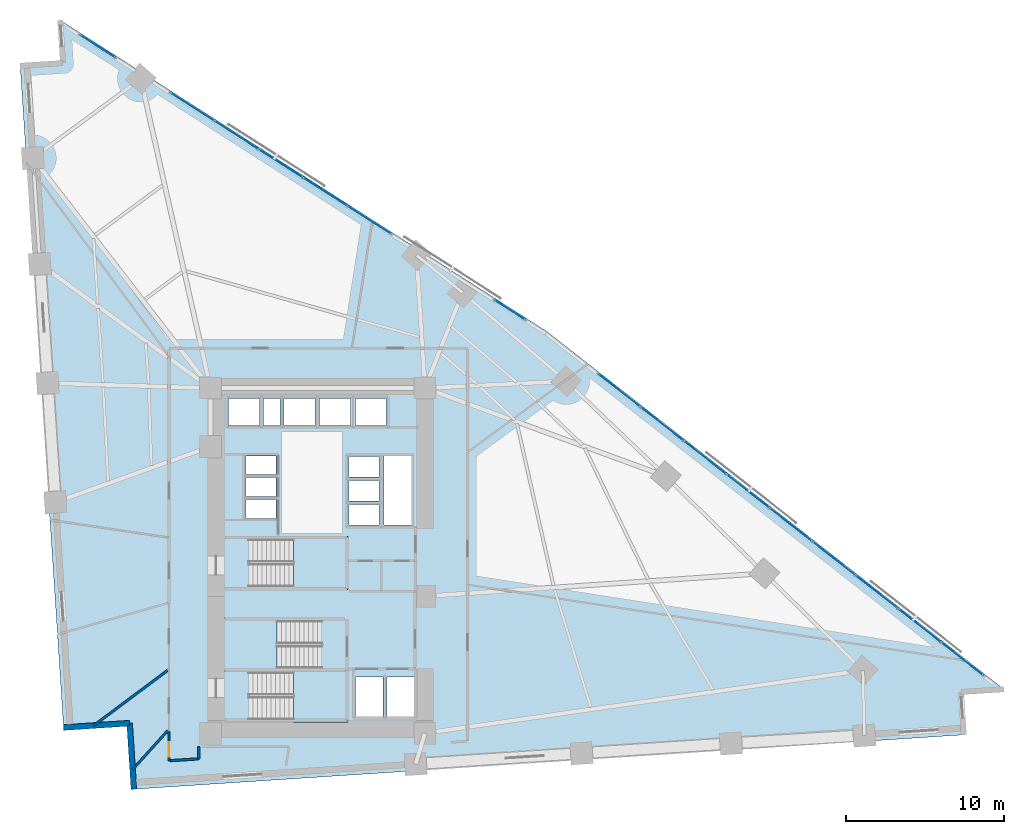
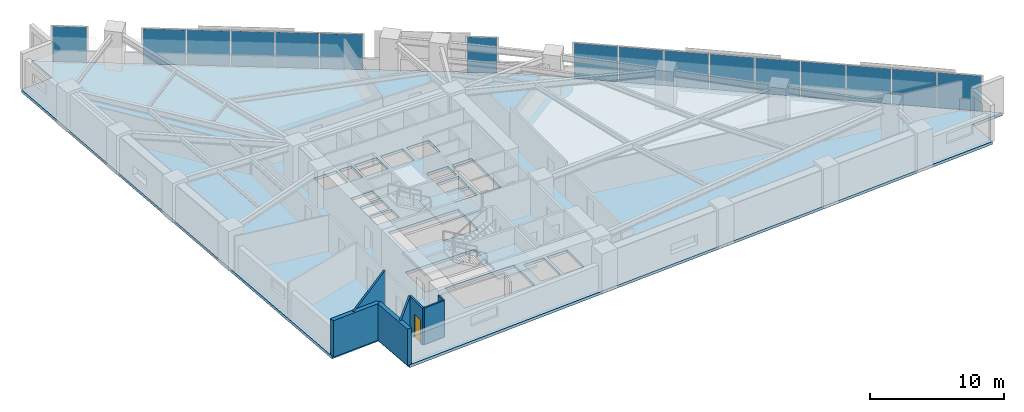
# One storey, part 11 of 16: 16 plates, 7 walls, 4 slabs, 1 door, 1 opening, 7 elements without a shape of their own.
"""IFC4 building model written with IfcOpenShell, lengths in metres."""

from ifc_helpers import new_model, si_unit, direction, frame, frame_2d, origin, origin_2d, place, context, subcontext, project, spatial, polyline, rectangle, outline, extrude, material, layer, layer_set, type_object, element, fill, aggregate, save


model = new_model("IFC4")

# Units and contexts
model_context = context("Model", 3, precision=1e-05, world=origin(), true_north=direction((0.0, 1.0)))
body_context = subcontext(model_context, "Body", "Model", "MODEL_VIEW")
ifc_project = project(units=[si_unit("LENGTHUNIT", "METRE"), si_unit("AREAUNIT", "SQUARE_METRE"), si_unit("VOLUMEUNIT", "CUBIC_METRE"), si_unit("PLANEANGLEUNIT", "RADIAN"), si_unit("MASSUNIT", "GRAM", prefix="KILO")], contexts=[model_context])

# Site, building, storey
site_placement = place(None, origin())
site = spatial("IfcSite", under=ifc_project, at=site_placement, CompositionType="ELEMENT")
building_placement = place(site_placement, origin())
building = spatial("IfcBuilding", under=site, at=building_placement, Name="Narakoshi Arena Tower", CompositionType="ELEMENT")
storey_placement = place(building_placement, frame((0.0, 0.0, 88.5)))
storey = spatial("IfcBuildingStorey", under=building, at=storey_placement, Name="L23", CompositionType="ELEMENT", Elevation=88.5)

# Curtain wall, plates
ifc_material_1 = material(Name="Anodised bronze aluminium 6063-T6", Category="aluminium")
curtain_wall_type = type_object("IfcCurtainWallType", Name="CW-HYP-LOW", PredefinedType="NOTDEFINED", material=ifc_material_1)
curtain_wall_1_placement = place(storey_placement, origin())
curtain_wall_1 = element("IfcCurtainWall", 1, at=curtain_wall_1_placement, inside=storey, type_object=curtain_wall_type, Name="L23 Folded Hypotenuse Curtain Wall 1-1", PredefinedType="NOTDEFINED")
ifc_material_2 = material(Name="Bronze-tinted low-E laminated glass", Category="glass")
ifc_layer_1 = layer(ifc_material_2, 0.031982421875)
ifc_layer_set_1 = layer_set([ifc_layer_1], Name="Bronze-tinted low-E laminated glass")
plate_type = type_object("IfcPlateType", Name="PLT-GLZ-32", PredefinedType="CURTAIN_PANEL", material=ifc_layer_set_1)
plate_1_placement = place(storey_placement, frame((119.491455078125, 39.385986328125, 0.06494140625), z_axis=(0.0, 0.0, 1.0), x_axis=(-0.787387607817, 0.616458234641, 0.0)))
plate_1 = element("IfcPlate", 2, at=plate_1_placement, type_object=plate_type, Name="CW-01 panel 1.1", PredefinedType="CURTAIN_PANEL", context=body_context, shape_type="SweptSolid", body=[
    extrude(rectangle(XDim=3.331298828125, YDim=0.031982421875, at=origin_2d()), origin(), (0.0, 0.0, 1.0), 3.2099609375),
])
plate_2_placement = place(storey_placement, frame((116.794677734375, 41.497314453125, 0.06494140625), z_axis=(0.0, 0.0, 1.0), x_axis=(-0.787387607817, 0.616458234641, 0.0)))
plate_2 = element("IfcPlate", 3, at=plate_2_placement, type_object=plate_type, Name="CW-01 panel 2.1", PredefinedType="CURTAIN_PANEL", context=body_context, shape_type="SweptSolid", body=[
    extrude(rectangle(XDim=3.36865234375, YDim=0.031982421875, at=origin_2d()), origin(), (0.0, 0.0, 1.0), 3.2099609375),
])
plate_3_placement = place(storey_placement, frame((114.083251953125, 43.620361328125, 0.06494140625), z_axis=(0.0, 0.0, 1.0), x_axis=(-0.787387607817, 0.616458234641, 0.0)))
plate_3 = element("IfcPlate", 4, at=plate_3_placement, type_object=plate_type, Name="CW-01 panel 3.1", PredefinedType="CURTAIN_PANEL", context=body_context, shape_type="SweptSolid", body=[
    extrude(rectangle(XDim=3.36865234375, YDim=0.031982421875, at=origin_2d()), origin(), (0.0, 0.0, 1.0), 3.2099609375),
])
plate_4_placement = place(storey_placement, frame((111.37158203125, 45.7431640625, 0.06494140625), z_axis=(0.0, 0.0, 1.0), x_axis=(-0.787387607817, 0.616458234641, 0.0)))
plate_4 = element("IfcPlate", 5, at=plate_4_placement, type_object=plate_type, Name="CW-01 panel 4.1", PredefinedType="CURTAIN_PANEL", context=body_context, shape_type="SweptSolid", body=[
    extrude(rectangle(XDim=3.36865234375, YDim=0.031982421875, at=origin_2d()), origin(), (0.0, 0.0, 1.0), 3.2099609375),
])
plate_5_placement = place(storey_placement, frame((108.66015625, 47.8662109375, 0.06494140625), z_axis=(0.0, 0.0, 1.0), x_axis=(-0.787387607817, 0.616458234641, 0.0)))
plate_5 = element("IfcPlate", 6, at=plate_5_placement, type_object=plate_type, Name="CW-01 panel 5.1", PredefinedType="CURTAIN_PANEL", context=body_context, shape_type="SweptSolid", body=[
    extrude(rectangle(XDim=3.36865234375, YDim=0.031982421875, at=origin_2d()), origin(), (0.0, 0.0, 1.0), 3.2099609375),
])
plate_6_placement = place(storey_placement, frame((105.948486328125, 49.989013671875, 0.06494140625), z_axis=(0.0, 0.0, 1.0), x_axis=(-0.787387607817, 0.616458234641, 0.0)))
plate_6 = element("IfcPlate", 7, at=plate_6_placement, type_object=plate_type, Name="CW-01 panel 6.1", PredefinedType="CURTAIN_PANEL", context=body_context, shape_type="SweptSolid", body=[
    extrude(rectangle(XDim=3.36865234375, YDim=0.031982421875, at=origin_2d()), origin(), (0.0, 0.0, 1.0), 3.2099609375),
])
plate_7_placement = place(storey_placement, frame((103.237060546875, 52.11181640625, 0.06494140625), z_axis=(0.0, 0.0, 1.0), x_axis=(-0.787387607817, 0.616458234641, 0.0)))
plate_7 = element("IfcPlate", 8, at=plate_7_placement, type_object=plate_type, Name="CW-01 panel 7.1", PredefinedType="CURTAIN_PANEL", context=body_context, shape_type="SweptSolid", body=[
    extrude(rectangle(XDim=3.36865234375, YDim=0.031982421875, at=origin_2d()), origin(), (0.0, 0.0, 1.0), 3.2099609375),
])
plate_8_placement = place(storey_placement, frame((100.525634765625, 54.23486328125, 0.06494140625), z_axis=(0.0, 0.0, 1.0), x_axis=(-0.787387607817, 0.616458234641, 0.0)))
plate_8 = element("IfcPlate", 9, at=plate_8_placement, type_object=plate_type, Name="CW-01 panel 8.1", PredefinedType="CURTAIN_PANEL", context=body_context, shape_type="SweptSolid", body=[
    extrude(rectangle(XDim=3.36865234375, YDim=0.031982421875, at=origin_2d()), origin(), (0.0, 0.0, 1.0), 3.2099609375),
])
plate_9_placement = place(storey_placement, frame((97.828857421875, 56.34619140625, 0.06494140625), z_axis=(0.0, 0.0, 1.0), x_axis=(-0.787387607817, 0.616458234641, 0.0)))
plate_9 = element("IfcPlate", 10, at=plate_9_placement, type_object=plate_type, Name="CW-01 panel 9.1", PredefinedType="CURTAIN_PANEL", context=body_context, shape_type="SweptSolid", body=[
    extrude(rectangle(XDim=3.331298828125, YDim=0.031982421875, at=origin_2d()), origin(), (0.0, 0.0, 1.0), 3.2099609375),
])
aggregate(curtain_wall_1, [plate_1, plate_2, plate_3, plate_4, plate_5, plate_6, plate_7, plate_8, plate_9])

# Curtain wall, plate
curtain_wall_2_placement = place(storey_placement, origin())
curtain_wall_2 = element("IfcCurtainWall", 11, at=curtain_wall_2_placement, inside=storey, type_object=curtain_wall_type, Name="L23 Folded Hypotenuse Curtain Wall 2-1", PredefinedType="NOTDEFINED")
plate_10_placement = place(storey_placement, frame((90.921142578125, 61.4287109375, 0.06494140625), z_axis=(0.0, 0.0, 1.0), x_axis=(-0.842419407448, 0.538822365864, 0.0)))
plate_10 = element("IfcPlate", 12, at=plate_10_placement, type_object=plate_type, Name="CW-01 panel 1.1", PredefinedType="CURTAIN_PANEL", context=body_context, shape_type="SweptSolid", body=[
    extrude(rectangle(XDim=2.25439453125, YDim=0.031982421875, at=origin_2d()), origin(), (0.0, 0.0, 1.0), 3.2099609375),
])
aggregate(curtain_wall_2, [plate_10])

# Curtain wall, plates
curtain_wall_3_placement = place(storey_placement, origin())
curtain_wall_3 = element("IfcCurtainWall", 13, at=curtain_wall_3_placement, inside=storey, type_object=curtain_wall_type, Name="L23 Folded Hypotenuse Curtain Wall 2-2", PredefinedType="NOTDEFINED")
plate_11_placement = place(storey_placement, frame((82.033447265625, 67.113525390625, 0.06494140625), z_axis=(0.0, 0.0, 1.0), x_axis=(-0.842415100992, 0.538829098714, 0.0)))
plate_11 = element("IfcPlate", 14, at=plate_11_placement, type_object=plate_type, Name="CW-01 panel 1.1", PredefinedType="CURTAIN_PANEL", context=body_context, shape_type="SweptSolid", body=[
    extrude(rectangle(XDim=3.2158203125, YDim=0.031982421875, at=origin_2d()), origin(), (0.0, 0.0, 1.0), 3.2099609375),
])
plate_12_placement = place(storey_placement, frame((79.24560546875, 68.896728515625, 0.06494140625), z_axis=(0.0, 0.0, 1.0), x_axis=(-0.842415100992, 0.538829098714, 0.0)))
plate_12 = element("IfcPlate", 15, at=plate_12_placement, type_object=plate_type, Name="CW-01 panel 2.1", PredefinedType="CURTAIN_PANEL", context=body_context, shape_type="SweptSolid", body=[
    extrude(rectangle(XDim=3.253173828125, YDim=0.031982421875, at=origin_2d()), origin(), (0.0, 0.0, 1.0), 3.2099609375),
])
plate_13_placement = place(storey_placement, frame((76.441650390625, 70.690185546875, 0.06494140625), z_axis=(0.0, 0.0, 1.0), x_axis=(-0.842415100992, 0.538829098714, 0.0)))
plate_13 = element("IfcPlate", 16, at=plate_13_placement, type_object=plate_type, Name="CW-01 panel 3.1", PredefinedType="CURTAIN_PANEL", context=body_context, shape_type="SweptSolid", body=[
    extrude(rectangle(XDim=3.253173828125, YDim=0.031982421875, at=origin_2d()), origin(), (0.0, 0.0, 1.0), 3.2099609375),
])
plate_14_placement = place(storey_placement, frame((73.637939453125, 72.4833984375, 0.06494140625), z_axis=(0.0, 0.0, 1.0), x_axis=(-0.842415100992, 0.538829098714, 0.0)))
plate_14 = element("IfcPlate", 17, at=plate_14_placement, type_object=plate_type, Name="CW-01 panel 4.1", PredefinedType="CURTAIN_PANEL", context=body_context, shape_type="SweptSolid", body=[
    extrude(rectangle(XDim=3.253173828125, YDim=0.031982421875, at=origin_2d()), origin(), (0.0, 0.0, 1.0), 3.2099609375),
])
plate_15_placement = place(storey_placement, frame((70.85009765625, 74.266845703125, 0.06494140625), z_axis=(0.0, 0.0, 1.0), x_axis=(-0.842415100992, 0.538829098714, 0.0)))
plate_15 = element("IfcPlate", 18, at=plate_15_placement, type_object=plate_type, Name="CW-01 panel 5.1", PredefinedType="CURTAIN_PANEL", context=body_context, shape_type="SweptSolid", body=[
    extrude(rectangle(XDim=3.2158203125, YDim=0.031982421875, at=origin_2d()), origin(), (0.0, 0.0, 1.0), 3.2099609375),
])
aggregate(curtain_wall_3, [plate_11, plate_12, plate_13, plate_14, plate_15])

# Curtain wall, plate
curtain_wall_4_placement = place(storey_placement, origin())
curtain_wall_4 = element("IfcCurtainWall", 19, at=curtain_wall_4_placement, inside=storey, type_object=curtain_wall_type, Name="L23 Folded Hypotenuse Curtain Wall 2-3", PredefinedType="NOTDEFINED")
plate_16_placement = place(storey_placement, frame((64.867919921875, 78.093017578125, 0.06494140625), z_axis=(0.0, 0.0, 1.0), x_axis=(-0.842407418791, 0.538841109017, 0.0)))
plate_16 = element("IfcPlate", 20, at=plate_16_placement, type_object=plate_type, Name="CW-01 panel 1.1", PredefinedType="CURTAIN_PANEL", context=body_context, shape_type="SweptSolid", body=[
    extrude(rectangle(XDim=2.60009765625, YDim=0.031982421875, at=origin_2d()), origin(), (0.0, 0.0, 1.0), 3.2099609375),
])
aggregate(curtain_wall_4, [plate_16])

# Stair, slab
ifc_material_3 = material(Name="Concrete C45/55", Category="concrete")
stair_type = type_object("IfcStairType", Name="STR-CORE-360", PredefinedType="TWO_STRAIGHT_RUN_STAIR", material=ifc_material_3)
stair_1_placement = place(storey_placement, origin())
stair_1 = element("IfcStair", 21, at=stair_1_placement, inside=storey, type_object=stair_type, Name="L23 Core Escape Stair ST1", PredefinedType="TWO_STRAIGHT_RUN_STAIR")
ifc_layer_2 = layer(ifc_material_3, 0.18994140625)
ifc_layer_set_2 = layer_set([ifc_layer_2], Name="Concrete C45/55")
slab_type_1 = type_object("IfcSlabType", Name="SLB-LND-190", PredefinedType="LANDING", material=ifc_layer_set_2)
slab_1_placement = place(storey_placement, frame((0.0, 0.0, 1.610107421875)))
slab_1 = element("IfcSlab", 22, at=slab_1_placement, type_object=slab_type_1, Name="ST1 landing 1", PredefinedType="LANDING", context=body_context, shape_type="SweptSolid", body=[
    extrude(outline(polyline([(77.25, 35.3701171875), (80.679931640625, 35.3701171875), (80.679931640625, 38.72998046875), (77.25, 38.72998046875), (77.25, 35.3701171875)])), origin(), (0.0, 0.0, 1.0), 0.18994140625),
])
aggregate(stair_1, [slab_1])

stair_2_placement = place(storey_placement, origin())
stair_2 = element("IfcStair", 23, at=stair_2_placement, inside=storey, type_object=stair_type, Name="L23 Core Escape Stair ST2", PredefinedType="TWO_STRAIGHT_RUN_STAIR")
slab_2_placement = place(storey_placement, frame((0.0, 0.0, 1.610107421875)))
slab_2 = element("IfcSlab", 24, at=slab_2_placement, type_object=slab_type_1, Name="ST2 landing 1", PredefinedType="LANDING", context=body_context, shape_type="SweptSolid", body=[
    extrude(outline(polyline([(72.77001953125, 38.6201171875), (76.199951171875, 38.6201171875), (76.199951171875, 41.97998046875), (72.77001953125, 41.97998046875), (72.77001953125, 38.6201171875)])), origin(), (0.0, 0.0, 1.0), 0.18994140625),
])
aggregate(stair_2, [slab_2])

stair_3_placement = place(storey_placement, origin())
stair_3 = element("IfcStair", 25, at=stair_3_placement, inside=storey, type_object=stair_type, Name="L23 Core Escape Stair ST3", PredefinedType="TWO_STRAIGHT_RUN_STAIR")
slab_3_placement = place(storey_placement, frame((0.0, 0.0, 1.610107421875)))
slab_3 = element("IfcSlab", 26, at=slab_3_placement, type_object=slab_type_1, Name="ST3 landing 1", PredefinedType="LANDING", context=body_context, shape_type="SweptSolid", body=[
    extrude(outline(polyline([(77.25, 43.77001953125), (80.679931640625, 43.77001953125), (80.679931640625, 47.1298828125), (77.25, 47.1298828125), (77.25, 43.77001953125)])), origin(), (0.0, 0.0, 1.0), 0.18994140625),
])
aggregate(stair_3, [slab_3])

# Slab
ifc_material_4 = material(Name="Concrete C50/60", Category="concrete")
ifc_layer_3 = layer(ifc_material_4, 0.260009765625)
ifc_layer_set_3 = layer_set([ifc_layer_3], Name="Concrete C50/60")
slab_type_2 = type_object("IfcSlabType", Name="SLB-SKY-260", PredefinedType="FLOOR", material=ifc_layer_set_3)
slab_4_placement = place(storey_placement, frame((0.0, 0.0, -0.260009765625)))
element("IfcSlab", 27, at=slab_4_placement, inside=storey, type_object=slab_type_2, Name="L23 Structural Floor Slab", PredefinedType="FLOOR", context=body_context, shape_type="SweptSolid", body=[
    extrude(outline(polyline([(67.160888671875, 31.15869140625), (119.58447265625, 34.594482421875), (119.40673828125, 37.30517578125), (122.1171875, 37.48291015625), (93.26220703125, 60.07373046875), (62.5107421875, 79.743408203125), (62.688232421875, 77.03271484375), (59.977783203125, 76.85498046875), (62.717529296875, 35.055419921875), (66.887451171875, 35.32861328125), (67.160888671875, 31.15869140625)]), holes=[polyline([(74.47998046875, 35.550048828125), (74.47998046875, 38.550048828125), (80.5, 38.550048828125), (80.5, 35.550048828125), (74.47998046875, 35.550048828125)]), polyline([(81.14990234375, 35.75), (81.14990234375, 38.25), (82.89990234375, 38.25), (82.89990234375, 35.75), (81.14990234375, 35.75)]), polyline([(83.14990234375, 35.75), (83.14990234375, 38.25), (84.89990234375, 38.25), (84.89990234375, 35.75), (83.14990234375, 35.75)]), polyline([(72.949951171875, 38.800048828125), (72.949951171875, 41.800048828125), (78.969970703125, 41.800048828125), (78.969970703125, 38.800048828125), (72.949951171875, 38.800048828125)]), polyline([(74.47998046875, 43.949951171875), (74.47998046875, 46.949951171875), (80.5, 46.949951171875), (80.5, 43.949951171875), (74.47998046875, 43.949951171875)]), polyline([(82.949951171875, 47.840087890625), (82.949951171875, 52.199951171875), (84.699951171875, 52.199951171875), (84.699951171875, 47.840087890625), (82.949951171875, 47.840087890625)]), polyline([(80.75, 47.85009765625), (80.75, 49.14990234375), (82.64990234375, 49.14990234375), (82.64990234375, 47.85009765625), (80.75, 47.85009765625)]), polyline([(74.25, 48.25), (74.25, 49.449951171875), (76.14990234375, 49.449951171875), (76.14990234375, 48.25), (74.25, 48.25)]), polyline([(80.75, 49.3701171875), (80.75, 50.669921875), (82.64990234375, 50.669921875), (82.64990234375, 49.3701171875), (80.75, 49.3701171875)]), polyline([(74.25, 49.64990234375), (74.25, 50.85009765625), (76.14990234375, 50.85009765625), (76.14990234375, 49.64990234375), (74.25, 49.64990234375)]), polyline([(80.75, 50.889892578125), (80.75, 52.18994140625), (82.64990234375, 52.18994140625), (82.64990234375, 50.889892578125), (80.75, 50.889892578125)]), polyline([(74.25, 51.050048828125), (74.25, 52.2099609375), (76.14990234375, 52.2099609375), (76.14990234375, 51.050048828125), (74.25, 51.050048828125)]), polyline([(73.14990234375, 54.14990234375), (73.14990234375, 55.85009765625), (75.10009765625, 55.85009765625), (75.10009765625, 54.14990234375), (73.14990234375, 54.14990234375)]), polyline([(75.35009765625, 54.14990234375), (75.35009765625, 55.85009765625), (76.39990234375, 55.85009765625), (76.39990234375, 54.14990234375), (75.35009765625, 54.14990234375)]), polyline([(76.64990234375, 54.14990234375), (76.64990234375, 55.85009765625), (78.60009765625, 55.85009765625), (78.60009765625, 54.14990234375), (76.64990234375, 54.14990234375)]), polyline([(78.89990234375, 55.85009765625), (80.85009765625, 55.85009765625), (80.85009765625, 54.14990234375), (78.89990234375, 54.14990234375), (78.89990234375, 55.85009765625)]), polyline([(81.14990234375, 55.85009765625), (83.10009765625, 55.85009765625), (83.10009765625, 54.14990234375), (81.14990234375, 54.14990234375), (81.14990234375, 55.85009765625)])]), origin(), (0.0, 0.0, 1.0), 0.260009765625),
])

# Walls
ifc_material_5 = material(Name="Precast concrete C45/55", Category="concrete")
ifc_layer_4 = layer(ifc_material_5, 0.419921875)
ifc_layer_set_4 = layer_set([ifc_layer_4], Name="Precast concrete C45/55")
wall_type_1 = type_object("IfcWallType", Name="WL-POD-420", PredefinedType="SOLIDWALL", material=ifc_layer_set_4)
for number, where, z_axis, x_axis, name in (
    (28, (62.717529296875, 35.055419921875, 0.0), (0.0, 0.0, 1.0), (0.997860761953, 0.065375069826, 0.0), "L23 Re-Entrant Corner Notch Wall NTA-1"),
    (29, (66.887451171875, 35.32861328125, 0.0), (0.0, 0.0, 1.0), (0.065433242561, -0.99785694905, 0.0), "L23 Re-Entrant Corner Notch Wall NTA-2"),
):
    element("IfcWall", number, at=place(storey_placement, frame(where, z_axis=z_axis, x_axis=x_axis)), inside=storey, type_object=wall_type_1, Name=name, PredefinedType="SOLIDWALL", context=body_context, shape_type="SweptSolid", body=[
        extrude(rectangle(XDim=4.178955078125, YDim=0.360107421875, at=frame_2d((2.08935546875, 0.0))), origin(), (0.0, 0.0, 1.0), 3.340087890625),
    ])
ifc_material_6 = material(Name="Moisture-resistant cement-board partition")
ifc_layer_5 = layer(ifc_material_6, 0.14501953125)
ifc_layer_set_5 = layer_set([ifc_layer_5], Name="Moisture-resistant cement-board partition")
wall_type_2 = type_object("IfcWallType", Name="WL-WET-145", PredefinedType="PARTITIONING", material=ifc_layer_set_5)
wall_1_placement = place(storey_placement, frame((69.3203125, 38.688720703125, 0.0), z_axis=(0.0, 0.0, 1.0), x_axis=(-0.801510196036, -0.597981108104, 0.0)))
element("IfcWall", 30, at=wall_1_placement, inside=storey, type_object=wall_type_2, Name="L23 Inter-Room Partition 02-03", PredefinedType="PARTITIONING", context=body_context, shape_type="SweptSolid", body=[
    extrude(rectangle(XDim=5.8681640625, YDim=0.14501953125, at=frame_2d((2.93408203125, 0.0))), origin(), (0.0, 0.0, 1.0), 3.340087890625),
])
wall_2_placement = place(storey_placement, frame((69.307373046875, 34.872314453125, 0.0), z_axis=(0.0, 0.0, 1.0), x_axis=(-0.670099721832, -0.742271084444, 0.0)))
element("IfcWall", 31, at=wall_2_placement, inside=storey, type_object=wall_type_2, Name="L23 Inter-Room Partition 03-04", PredefinedType="PARTITIONING", context=body_context, shape_type="SweptSolid", body=[
    extrude(rectangle(XDim=3.3251953125, YDim=0.14501953125, at=frame_2d((1.66259765625, 0.0))), origin(), (0.0, 0.0, 1.0), 3.340087890625),
])

# Wall, opening, door
wall_3_placement = place(storey_placement, frame((69.3798828125, 34.808349609375, 0.0), z_axis=(0.0, 0.0, 1.0), x_axis=(0.0, -1.0, 0.0)))
wall_3 = element("IfcWall", 32, at=wall_3_placement, inside=storey, type_object=wall_type_2, Name="L23 Corridor Partition 04-1", PredefinedType="PARTITIONING", context=body_context, shape_type="SweptSolid", body=[
    extrude(rectangle(XDim=1.850830078125, YDim=0.14501953125, at=frame_2d((0.92529296875, 0.0))), origin(), (0.0, 0.0, 1.0), 3.340087890625),
])
opening_placement = place(wall_3_placement, frame((0.6845703125, 0.0, 0.0)))
opening = element("IfcOpeningElement", 33, at=opening_placement, cuts=wall_3, Name="Opening D-08", PredefinedType="OPENING", context=body_context, shape_type="SweptSolid", body=[
    extrude(rectangle(XDim=0.89990234375, YDim=2.10009765625, at=frame_2d((0.449951171875, 1.050048828125))), frame((0.0, 0.08251953125, 0.0), z_axis=(0.0, -1.0, 0.0), x_axis=(1.0, 0.0, 0.0)), (0.0, 0.0, 1.0), 0.1650390625),
])
ifc_material_7 = material(Name="Moisture-resistant laminate timber", Category="wood")
door_type = type_object("IfcDoorType", Name="DR-WC-900", OperationType="NOTDEFINED", PredefinedType="DOOR", material=ifc_material_7)
door_placement = place(opening_placement, frame((0.89990234375, 0.0, 0.0), z_axis=(0.0, 0.0, 1.0), x_axis=(-1.0, 0.0, 0.0)))
door = element("IfcDoor", 34, at=door_placement, inside=storey, type_object=door_type, Name="DR-L23-017", OperationType="SINGLE_SWING_LEFT", OverallHeight=2.10009765625, OverallWidth=0.89990234375, PredefinedType="DOOR", context=body_context, shape_type="SweptSolid", body=[
    extrude(rectangle(XDim=0.89990234375, YDim=2.10009765625, at=frame_2d((0.449951171875, 1.050048828125))), frame((0.0, 0.02490234375, 0.0), z_axis=(0.0, -1.0, 0.0), x_axis=(1.0, 0.0, 0.0)), (0.0, 0.0, 1.0), 0.050048828125),
])
fill(opening, door)

# Walls
wall_4_placement = place(storey_placement, frame((69.464599609375, 32.963134765625, 0.0), z_axis=(0.0, 0.0, 1.0), x_axis=(0.997861766106, 0.065359741004, 0.0)))
element("IfcWall", 35, at=wall_4_placement, inside=storey, type_object=wall_type_2, Name="L23 Corridor Partition 04-2", PredefinedType="PARTITIONING", context=body_context, shape_type="SweptSolid", body=[
    extrude(rectangle(XDim=1.789306640625, YDim=0.14501953125, at=frame_2d((0.89453125, 0.0))), origin(), (0.0, 0.0, 1.0), 3.340087890625),
])
wall_5_placement = place(storey_placement, frame((71.25, 33.080078125, 0.0), z_axis=(0.0, 0.0, 1.0), x_axis=(0.0, 1.0, 0.0)))
element("IfcWall", 36, at=wall_5_placement, inside=storey, type_object=wall_type_2, Name="L23 Corridor Partition 04-3", PredefinedType="PARTITIONING", context=body_context, shape_type="SweptSolid", body=[
    extrude(rectangle(XDim=0.77001953125, YDim=0.14501953125, at=frame_2d((0.385009765625, 0.0))), origin(), (0.0, 0.0, 1.0), 3.340087890625),
])

save(model, "model.ifc")
